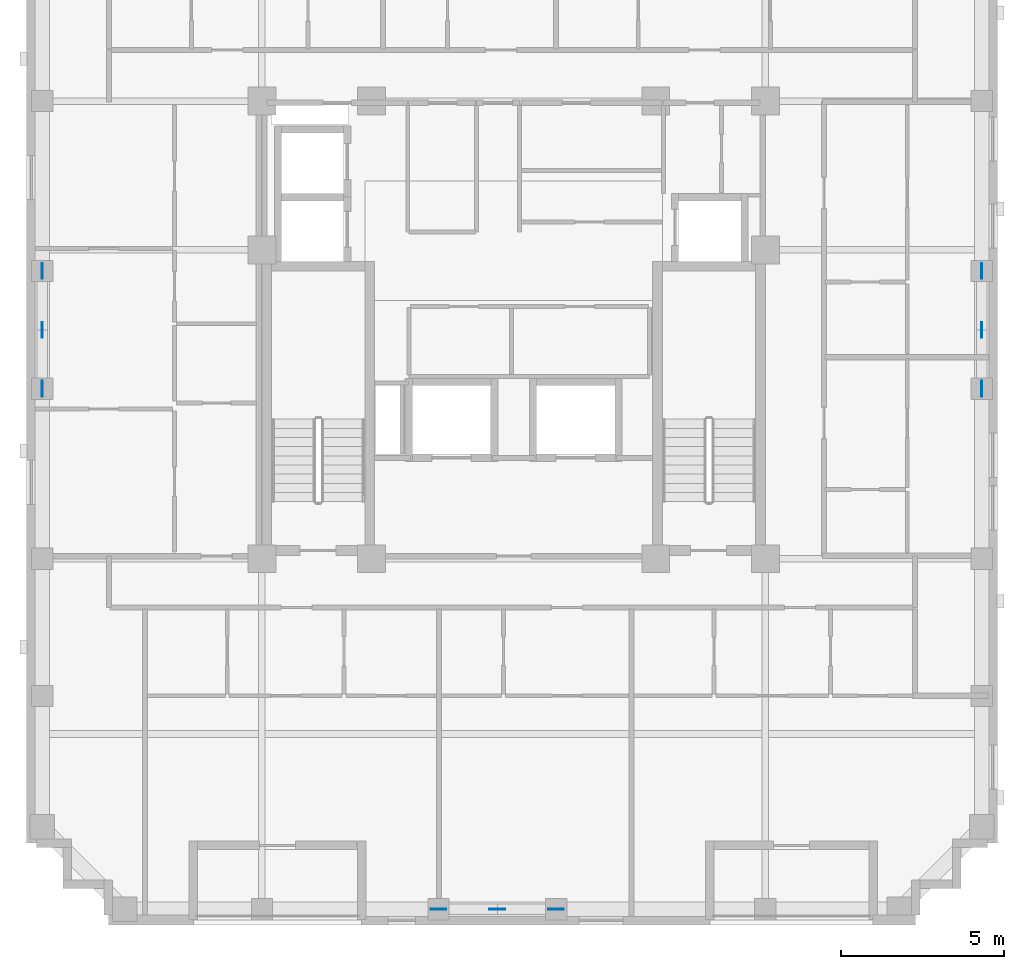
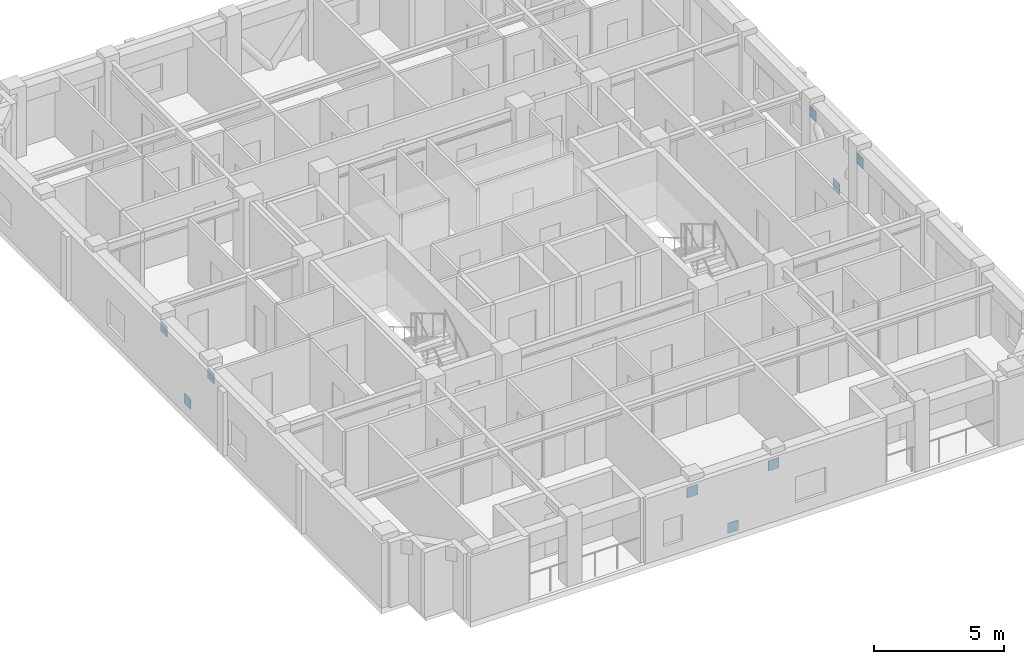
# One storey, part 8 of 11: 9 discrete accessories.
"""IFC4 building model written with IfcOpenShell, lengths in metres."""

from ifc_helpers import new_model, si_unit, derived_unit, direction, frame, origin, origin_2d, place, context, subcontext, project, spatial, rectangle, extrude, material, layer, layer_set, type_object, element, save


model = new_model("IFC4")

# Units and contexts
model_context = context("Model", 3, precision=1e-05, world=origin(), true_north=direction((0.0, 1.0)))
body_context = subcontext(model_context, "Body", "Model", "MODEL_VIEW")
ifc_project = project(units=[si_unit("LENGTHUNIT", "METRE"), si_unit("AREAUNIT", "SQUARE_METRE"), si_unit("VOLUMEUNIT", "CUBIC_METRE"), si_unit("PLANEANGLEUNIT", "RADIAN"), si_unit("MASSUNIT", "GRAM", prefix="KILO"), derived_unit("THERMALTRANSMITTANCEUNIT", [(si_unit("MASSUNIT", "GRAM", prefix="KILO"), 1), (si_unit("TIMEUNIT", "SECOND"), -3), (si_unit("THERMODYNAMICTEMPERATUREUNIT", "KELVIN"), -1)])], contexts=[model_context])

# Site, building, storey
site_placement = place(None, origin())
site = spatial("IfcSite", under=ifc_project, at=site_placement, CompositionType="ELEMENT")
building_placement = place(site_placement, origin())
building = spatial("IfcBuilding", under=site, at=building_placement, Name="Korrvale Station Residences", CompositionType="ELEMENT")
storey_placement = place(building_placement, frame((0.0, 0.0, 210.699951171875)))
storey = spatial("IfcBuildingStorey", under=building, at=storey_placement, Name="L61", CompositionType="ELEMENT", Elevation=210.699951171875)

# Discrete accessories
ifc_material = material(Name="Steel S355", Category="steel")
ifc_layer = layer(ifc_material, 0.02490234375, Name="Steel S355")
ifc_layer_set = layer_set([ifc_layer], Name="Steel S355")
discrete_accessory_type = type_object("IfcDiscreteAccessoryType", Name="ACC-GUSSET-25", PredefinedType="BRACKET", material=ifc_layer_set)
for number, where, z_axis, x_axis, name in (
    (1, (25.0, 4.280029296875, -0.219970703125), (0.0, 0.0, 1.0), (1.0, 0.0, 0.0), "L61 S Brace End Gusset Connection M"),
    (2, (23.199951171875, 4.280029296875, 2.070068359375), (0.0, 0.0, 1.0), (1.0, 0.0, 0.0), "L61 S Brace End Gusset Connection A"),
    (3, (26.800048828125, 4.280029296875, 2.070068359375), (0.0, 0.0, 1.0), (1.0, 0.0, 0.0), "L61 S Brace End Gusset Connection B"),
    (4, (11.080078125, 22.0, -0.219970703125), (0.0, 0.0, 1.0), (0.0, 1.0, 0.0), "L61 W Brace End Gusset Connection M"),
    (5, (11.080078125, 20.199951171875, 2.070068359375), (0.0, 0.0, 1.0), (0.0, 1.0, 0.0), "L61 W Brace End Gusset Connection A"),
    (6, (11.080078125, 23.800048828125, 2.070068359375), (0.0, 0.0, 1.0), (0.0, 1.0, 0.0), "L61 W Brace End Gusset Connection B"),
    (7, (39.820068359375, 22.0, -0.219970703125), (0.0, 0.0, 1.0), (0.0, 1.0, 0.0), "L61 E Brace End Gusset Connection M"),
    (8, (39.820068359375, 20.199951171875, 2.070068359375), (0.0, 0.0, 1.0), (0.0, 1.0, 0.0), "L61 E Brace End Gusset Connection A"),
    (9, (39.820068359375, 23.800048828125, 2.070068359375), (0.0, 0.0, 1.0), (0.0, 1.0, 0.0), "L61 E Brace End Gusset Connection B"),
):
    element("IfcDiscreteAccessory", number, at=place(storey_placement, frame(where, z_axis=z_axis, x_axis=x_axis)), inside=storey, type_object=discrete_accessory_type, Name=name, PredefinedType="BRACKET", context=body_context, shape_type="SweptSolid", body=[
        extrude(rectangle(XDim=0.47998046875, YDim=0.02490234375, at=origin_2d()), origin(), (0.0, 0.0, 1.0), 0.47998046875),
    ])

save(model, "model.ifc")
